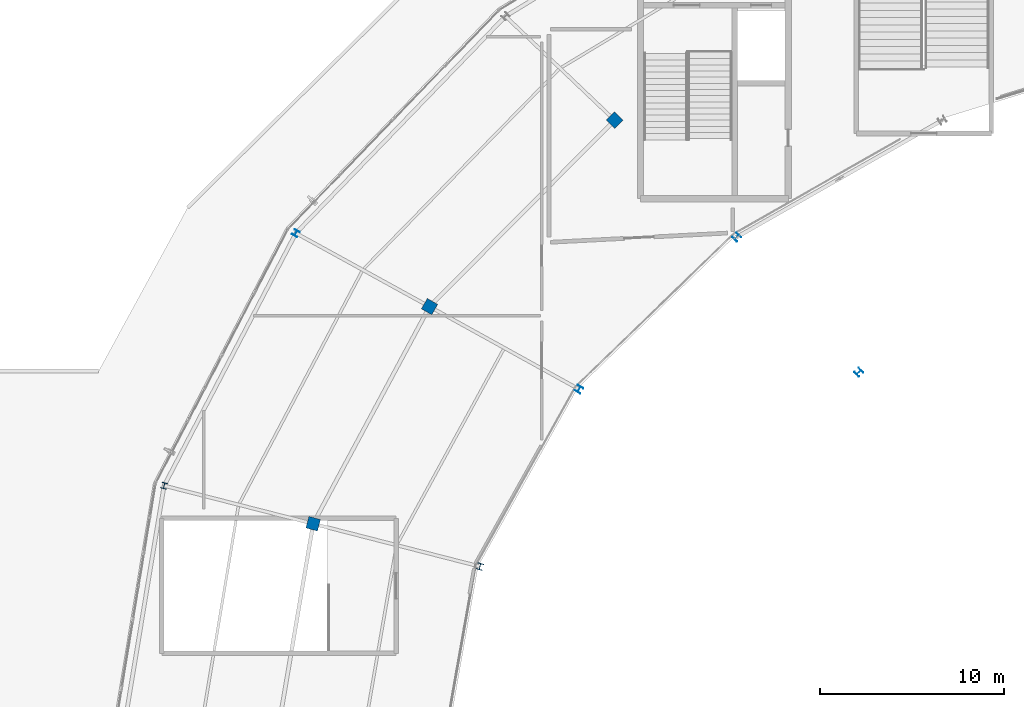
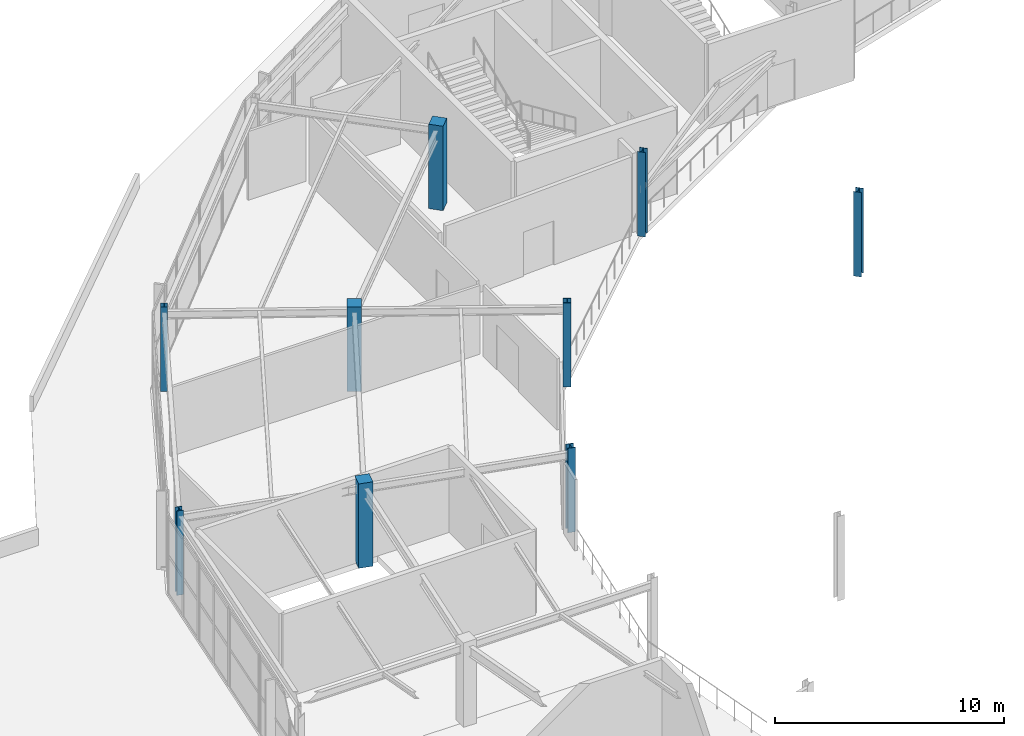
# One storey, part 5 of 126: 9 columns.
"""IFC4 building model written with IfcOpenShell, lengths in metres."""

import ifcopenshell
import ifcopenshell.guid

model = None  # the IFC model being written
_history = None  # IfcOwnerHistory: only IFC2X3 demands one
_inside = {}  # id of a spatial element -> (the spatial element, [elements in it])
_under = {}  # id of a project, library or spatial element -> (it, [spatial elements below it])
_declared = {}  # id of a project -> (the project, [libraries it declares])
_typed = {}  # id of a type object -> (the type object, [elements of that type])
_made_of = {}  # id of a material, layer set ... -> (it, [elements and type objects made of it])


def new_model(schema):
    """Start an empty IFC model of exactly this schema.

    Asked for "IFC4X3", IfcOpenShell would pick the latest addendum, in which some entities
    have other attributes; the version numbers below select the first issue.
    IFC2X3 requires an IfcOwnerHistory on every rooted entity: one is made here for all.
    """
    global model, _history
    if schema == "IFC4X3":
        model = ifcopenshell.file(schema_version=(4, 3, 0, 0))
    else:
        model = ifcopenshell.file(schema=schema)
    _inside.clear()
    _under.clear()
    _declared.clear()
    _typed.clear()
    _made_of.clear()
    _history = None
    if model.schema == "IFC2X3":
        org = make("IfcOrganization", Name="unknown")
        user = make(
            "IfcPersonAndOrganization",
            ThePerson=make("IfcPerson", FamilyName="unknown"),
            TheOrganization=org,
        )
        app = make(
            "IfcApplication",
            ApplicationDeveloper=org,
            Version="unknown",
            ApplicationFullName="unknown",
            ApplicationIdentifier="unknown",
        )
        _history = make(
            "IfcOwnerHistory",
            OwningUser=user,
            OwningApplication=app,
            ChangeAction="ADDED",
            CreationDate=0,
        )
    return model


def make(cls, **values):
    """One entity of the class cls with the attributes given. An attribute that is None is left unset."""
    return model.create_entity(
        cls, **{name: value for name, value in values.items() if value is not None}
    )


def rooted(cls, **values):
    """An entity with a GlobalId (a new one), such as an element, a storey or a relation."""
    return make(cls, GlobalId=ifcopenshell.guid.new(), OwnerHistory=_history, **values)


def si_unit(unit_type, name, prefix=None):
    """IfcSIUnit, for example si_unit("LENGTHUNIT", "METRE", prefix="MILLI")."""
    return make("IfcSIUnit", UnitType=unit_type, Prefix=prefix, Name=name)


def assignment(units):
    """IfcUnitAssignment: the units of a project."""
    return None if units is None else make("IfcUnitAssignment", Units=units)


def point(xyz):
    """IfcCartesianPoint."""
    return None if xyz is None else make("IfcCartesianPoint", Coordinates=xyz)


def direction(xyz):
    """IfcDirection."""
    return None if xyz is None else make("IfcDirection", DirectionRatios=xyz)


def frame(location, z_axis=None, x_axis=None):
    """IfcAxis2Placement3D, a coordinate frame: its origin and axes. An axis left out is left unset."""
    return make(
        "IfcAxis2Placement3D",
        Location=point(location),
        Axis=direction(z_axis),
        RefDirection=direction(x_axis),
    )


def frame_2d(location, x_axis=None):
    """IfcAxis2Placement2D, a coordinate frame in the plane: its origin and x axis."""
    return make(
        "IfcAxis2Placement2D", Location=point(location), RefDirection=direction(x_axis)
    )


def origin():
    """The frame at (0, 0, 0) with its axes left unset."""
    return frame((0.0, 0.0, 0.0))


def origin_2d():
    """The frame at (0, 0) in the plane with its x axis left unset."""
    return frame_2d((0.0, 0.0))


def place(relative_to, where):
    """IfcLocalPlacement: puts the frame where relative to a parent placement (None: the world)."""
    return make(
        "IfcLocalPlacement", PlacementRelTo=relative_to, RelativePlacement=where
    )


def context(
    kind, dimensions, precision=None, world=None, true_north=None, identifier=None
):
    """IfcGeometricRepresentationContext, for example the 3D "Model" context."""
    return make(
        "IfcGeometricRepresentationContext",
        ContextIdentifier=identifier,
        ContextType=kind,
        CoordinateSpaceDimension=dimensions,
        Precision=precision,
        WorldCoordinateSystem=world,
        TrueNorth=true_north,
    )


def subcontext(parent, identifier, kind, view, scale=None):
    """IfcGeometricRepresentationSubContext, for example "Body" below "Model"."""
    return make(
        "IfcGeometricRepresentationSubContext",
        ContextIdentifier=identifier,
        ContextType=kind,
        ParentContext=parent,
        TargetScale=scale,
        TargetView=view,
    )


def project(units=None, contexts=None):
    """IfcProject with its units and contexts."""
    return rooted(
        "IfcProject",
        Name="project",
        RepresentationContexts=contexts,
        UnitsInContext=assignment(units),
    )


def spatial(cls, under=None, at=None, **own):
    """A site, building, storey or space (cls), placed at a placement, below another one or the project."""
    s = rooted(cls, ObjectPlacement=at, **own)
    if under is not None:
        _under.setdefault(under.id(), (under, []))[1].append(s)
    return s


def profile(cls, at=None, kind="AREA", **sizes):
    """A parametric profile (cls). Its sizes go by their IFC names, for example OverallWidth=200.0."""
    return make(cls, ProfileType=kind, Position=at, **sizes)


def rectangle(**sizes):
    """IfcRectangleProfileDef."""
    return profile("IfcRectangleProfileDef", **sizes)


def i_section(**sizes):
    """IfcIShapeProfileDef."""
    return profile("IfcIShapeProfileDef", **sizes)


def extrude(swept, where, along, depth):
    """IfcExtrudedAreaSolid: the profile swept, set in the frame where, extruded along a direction by depth."""
    return make(
        "IfcExtrudedAreaSolid",
        SweptArea=swept,
        Position=where,
        ExtrudedDirection=direction(along),
        Depth=depth,
    )


def shape(context_of_items, identifier, shape_type, items):
    """IfcShapeRepresentation: the items that make up one representation, for example the "Body"."""
    return make(
        "IfcShapeRepresentation",
        ContextOfItems=context_of_items,
        RepresentationIdentifier=identifier,
        RepresentationType=shape_type,
        Items=items,
    )


def material(Name=None, Category=None):
    """IfcMaterial."""
    return make("IfcMaterial", Name=Name, Category=Category)


def material_profile(
    of_material, cross_section, Name=None, Category=None, Priority=None
):
    """IfcMaterialProfile: a cross section and its material."""
    return make(
        "IfcMaterialProfile",
        Name=Name,
        Material=of_material,
        Profile=cross_section,
        Priority=Priority,
        Category=Category,
    )


def profile_set(profiles, Name=None, composite=None):
    """IfcMaterialProfileSet."""
    return make(
        "IfcMaterialProfileSet",
        Name=Name,
        MaterialProfiles=profiles,
        CompositeProfile=composite,
    )


def made_of(thing, what):
    """Note that an element or type object is made of a material, layer set ...; save() writes the relation."""
    if what is not None:
        _made_of.setdefault(what.id(), (what, []))[1].append(thing)
    return thing


def type_object(cls, material=None, **own):
    """A type object (cls), such as IfcWallType, which elements share."""
    return made_of(rooted(cls, **own), material)


def element(
    cls,
    number,
    at=None,
    inside=None,
    cuts=None,
    type_object=None,
    material=None,
    context=None,
    identifier="Body",
    shape_type=None,
    held_by="IfcProductDefinitionShape",
    body=None,
    shapes=None,
    **own,
):
    """One element of the class cls, such as IfcWall. Its Tag is "e" and its number.

    at: its placement. inside: the storey or other place that contains it. cuts: it is an
    opening in that element (IfcRelVoidsElement). A single representation is given by context,
    identifier, shape_type and body (its items); several are given by shapes. held_by: the class
    of the entity that holds the representations. save() writes the other relations.
    """
    e = rooted(cls, Tag="e%d" % number, ObjectPlacement=at, **own)
    if body is not None:
        shapes = [shape(context, identifier, shape_type, body)]
    if shapes is not None:
        e.Representation = make(held_by, Representations=shapes)
    if inside is not None:
        _inside.setdefault(inside.id(), (inside, []))[1].append(e)
    if cuts is not None:
        rooted(
            "IfcRelVoidsElement", RelatingBuildingElement=cuts, RelatedOpeningElement=e
        )
    if type_object is not None:
        _typed.setdefault(type_object.id(), (type_object, []))[1].append(e)
    return made_of(e, material)


def aggregate(whole, parts):
    """IfcRelAggregates: a whole, such as a stair, and the parts it consists of."""
    return rooted("IfcRelAggregates", RelatingObject=whole, RelatedObjects=parts)


def save(model, path):
    """Write the relations noted so far, then the file.

    IfcRelAggregates (storeys below a building ...), IfcRelContainedInSpatialStructure (elements
    in a storey), IfcRelDefinesByType, IfcRelAssociatesMaterial and IfcRelDeclares: one each for
    every whole, place, type object, material and project.
    """
    for whole, parts in _under.values():
        aggregate(whole, parts)
    for where, things in _inside.values():
        rooted(
            "IfcRelContainedInSpatialStructure",
            RelatedElements=things,
            RelatingStructure=where,
        )
    for kind, things in _typed.values():
        rooted("IfcRelDefinesByType", RelatedObjects=things, RelatingType=kind)
    for what, things in _made_of.values():
        rooted("IfcRelAssociatesMaterial", RelatedObjects=things, RelatingMaterial=what)
    for by, libraries in _declared.values():
        rooted("IfcRelDeclares", RelatingContext=by, RelatedDefinitions=libraries)
    model.write(path)


model = new_model("IFC4")

# Units and contexts
model_context = context("Model", 3, precision=1e-05, world=origin(), true_north=direction((0.0, 1.0)))
body_context = subcontext(model_context, "Body", "Model", "MODEL_VIEW")
ifc_project = project(units=[si_unit("LENGTHUNIT", "METRE"), si_unit("AREAUNIT", "SQUARE_METRE"), si_unit("VOLUMEUNIT", "CUBIC_METRE"), si_unit("PLANEANGLEUNIT", "RADIAN"), si_unit("MASSUNIT", "GRAM", prefix="KILO")], contexts=[model_context])

# Site, building, storey
site_placement = place(None, origin())
site = spatial("IfcSite", under=ifc_project, at=site_placement, CompositionType="ELEMENT")
building_placement = place(site_placement, origin())
building = spatial("IfcBuilding", under=site, at=building_placement, Name="Kalgoora Escarpment Arena", CompositionType="ELEMENT")
storey_placement = place(building_placement, frame((0.0, 0.0, 18.89990234375)))
storey = spatial("IfcBuildingStorey", under=building, at=storey_placement, Name="L04", CompositionType="ELEMENT", Elevation=18.89990234375)

# Columns
ifc_material_1 = material(Name="Structural steel AS/NZS 3679 (300 MPa)", Category="steel")
ifc_material_profile_1 = material_profile(ifc_material_1, i_section(OverallWidth=0.31103515625, OverallDepth=0.326904296875, WebThickness=0.015625, FlangeThickness=0.02490234375, at=origin_2d()))
ifc_profile_set_1 = profile_set([ifc_material_profile_1], Name="Structural steel AS/NZS 3679 (300 MPa)")
column_type_1 = type_object("IfcColumnType", Name="COL-COL-310UC158", PredefinedType="COLUMN", material=ifc_profile_set_1)
for number, where, z_axis, x_axis, name in (
    (1, (30.219482421875, 92.5, 0.0), (0.0, 0.0, 1.0), (-0.866025403784, 0.5, 0.0), "L04 structural column COL-RCONC2-R11"),
    (2, (23.04638671875, 78.752685546875, 0.0), (0.0, 0.0, 1.0), (-0.965925826289, 0.258819045103, 0.0), "L04 structural column COL-RCONC2-R12"),
):
    element("IfcColumn", number, at=place(storey_placement, frame(where, z_axis=z_axis, x_axis=x_axis)), inside=storey, type_object=column_type_1, Name=name, PredefinedType="COLUMN", context=body_context, shape_type="SweptSolid", body=[
        extrude(i_section(OverallWidth=0.31103515625, OverallDepth=0.326904296875, WebThickness=0.015625, FlangeThickness=0.02490234375, at=origin_2d()), origin(), (0.0, 0.0, 1.0), 4.5),
    ])
ifc_material_2 = material(Name="Structural steel Grade 350 (350 MPa)", Category="steel")
ifc_material_profile_2 = material_profile(ifc_material_2, i_section(OverallWidth=0.35009765625, OverallDepth=0.35009765625, WebThickness=0.013916015625, FlangeThickness=0.02392578125, at=origin_2d()))
ifc_profile_set_2 = profile_set([ifc_material_profile_2], Name="Structural steel Grade 350 (350 MPa)")
column_type_2 = type_object("IfcColumnType", Name="COL-COL-350WC197", PredefinedType="COLUMN", material=ifc_profile_set_2)
for number, where, z_axis, x_axis, name in (
    (3, (54.21630859375, 92.2841796875, 0.0), (0.0, 0.0, 1.0), (-0.707106781187, 0.707106781187, 0.0), "L04 structural column COL-RMAIN-R10"),
    (4, (45.634521484375, 84.0, 0.0), (0.0, 0.0, 1.0), (-0.866025403784, 0.5, 0.0), "L04 structural column COL-RMAIN-R11"),
    (5, (40.239990234375, 74.352783203125, 0.0), (0.0, 0.0, 1.0), (-0.965925826289, 0.258819045103, 0.0), "L04 structural column COL-RMAIN-R12"),
    (6, (60.863037109375, 84.930419921875, 0.0), (0.0, 0.0, 1.0), (-0.707106781187, 0.707106781187, 0.0), "L04 structural column COL-TSPINE-S04"),
):
    element("IfcColumn", number, at=place(storey_placement, frame(where, z_axis=z_axis, x_axis=x_axis)), inside=storey, type_object=column_type_2, Name=name, PredefinedType="COLUMN", context=body_context, shape_type="SweptSolid", body=[
        extrude(i_section(OverallWidth=0.35009765625, OverallDepth=0.35009765625, WebThickness=0.013916015625, FlangeThickness=0.02392578125, at=origin_2d()), origin(), (0.0, 0.0, 1.0), 4.5),
    ])
ifc_material_3 = material(Name="Concrete N50 (fc' 50 MPa)", Category="concrete")
ifc_material_profile_3 = material_profile(ifc_material_3, rectangle(XDim=0.64990234375, YDim=0.64990234375, at=origin_2d()))
ifc_profile_set_3 = profile_set([ifc_material_profile_3], Name="Concrete N50 (fc' 50 MPa)")
column_type_3 = type_object("IfcColumnType", Name="COL-COL-RC650x650", PredefinedType="COLUMN", material=ifc_profile_set_3)
for number, where, z_axis, x_axis, name in (
    (7, (47.5693359375, 98.648193359375, 0.0), (0.0, 0.0, 1.0), (-0.707106781187, 0.707106781187, 0.0), "L04 structural column COL-RCONC1-R10"),
    (8, (37.493896484375, 88.5, 0.0), (0.0, 0.0, 1.0), (-0.866025403784, 0.5, 0.0), "L04 structural column COL-RCONC1-R11"),
    (9, (31.160400390625, 76.68212890625, 0.0), (0.0, 0.0, 1.0), (-0.965925826289, 0.258819045103, 0.0), "L04 structural column COL-RCONC1-R12"),
):
    element("IfcColumn", number, at=place(storey_placement, frame(where, z_axis=z_axis, x_axis=x_axis)), inside=storey, type_object=column_type_3, Name=name, PredefinedType="COLUMN", context=body_context, shape_type="SweptSolid", body=[
        extrude(rectangle(XDim=0.64990234375, YDim=0.64990234375, at=origin_2d()), origin(), (0.0, 0.0, 1.0), 4.5),
    ])

save(model, "model.ifc")
